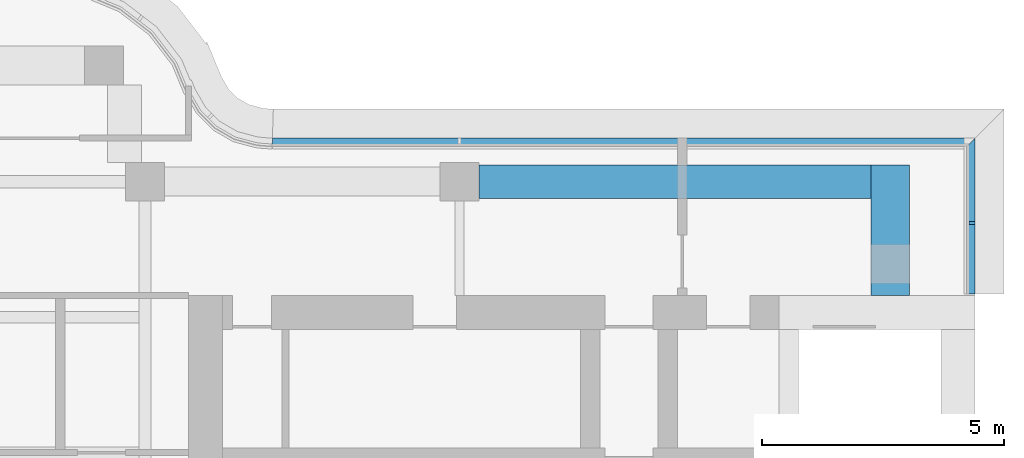
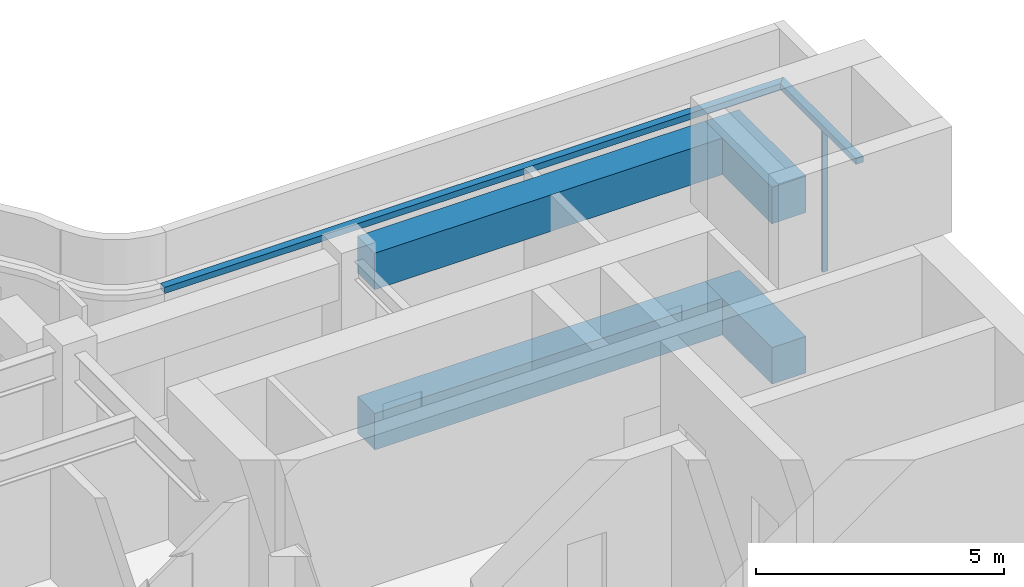
# One storey, part 4 of 9: 4 beams, 3 members, 2 elements without a shape of their own.
"""IFC4 building model written with IfcOpenShell, lengths in metres."""

from ifc_helpers import new_model, si_unit, direction, frame, origin, origin_2d, place, context, subcontext, project, spatial, polyline, rectangle, outline, extrude, source, transform, mapped, material, layer, layer_set, material_profile, profile_set, type_object, element, aggregate, save


model = new_model("IFC4")

# Units and contexts
model_context = context("Model", 3, precision=1e-05, world=origin(), true_north=direction((0.0, 1.0)))
body_context = subcontext(model_context, "Body", "Model", "MODEL_VIEW")
ifc_project = project(units=[si_unit("LENGTHUNIT", "METRE"), si_unit("AREAUNIT", "SQUARE_METRE"), si_unit("VOLUMEUNIT", "CUBIC_METRE"), si_unit("PLANEANGLEUNIT", "RADIAN"), si_unit("MASSUNIT", "GRAM", prefix="KILO")], contexts=[model_context])

# Site, building, storey
site_placement = place(None, origin())
site = spatial("IfcSite", under=ifc_project, at=site_placement, CompositionType="ELEMENT")
building_placement = place(site_placement, origin())
building = spatial("IfcBuilding", under=site, at=building_placement, Name="Trellis Farm Tower", CompositionType="ELEMENT")
storey_placement = place(building_placement, frame((0.0, 0.0, 358.10009765625)))
storey = spatial("IfcBuildingStorey", under=building, at=storey_placement, Name="L81", CompositionType="ELEMENT", Elevation=358.10009765625)

# Beams
ifc_material_1 = material(Name="Concrete C60/75", Category="concrete")
ifc_material_profile_1 = material_profile(ifc_material_1, rectangle(XDim=0.699951171875, YDim=0.89990234375, at=origin_2d()), Name="RC spandrel beam 700x900 C60/75")
ifc_profile_set_1 = profile_set([ifc_material_profile_1], Name="Concrete C60/75")
beam_type_1 = type_object("IfcBeamType", Name="RC spandrel beam 700x900 C60/75", PredefinedType="SPANDREL", material=ifc_profile_set_1)
shared_shape_1 = source(origin(), body_context, "Body", "SweptSolid", [
    extrude(rectangle(XDim=0.699951171875, YDim=0.89990234375, at=origin_2d()), origin(), (0.0, 0.0, 1.0), 8.10009765625),
])
for number, where, z_axis, x_axis, name in (
    (1, (12.5, 5.60009765625, -0.7001953125), (1.0, 0.0, 0.0), (0.0, 1.0, 0.0), "Girder"),
    (2, (12.5, 5.60009765625, 3.25), (1.0, 0.0, 0.0), (0.0, 1.0, 0.0), "Girder"),
):
    element("IfcBeam", number, at=place(storey_placement, frame(where, z_axis=z_axis, x_axis=x_axis)), inside=storey, type_object=beam_type_1, Name=name, PredefinedType="SPANDREL", context=body_context, shape_type="MappedRepresentation", body=[
        mapped(shared_shape_1, transform((0.0, 0.0, 0.0))),
    ])
ifc_material_profile_2 = material_profile(ifc_material_1, rectangle(XDim=0.800048828125, YDim=0.89990234375, at=origin_2d()), Name="RC spandrel beam 800x900 C60/75")
ifc_profile_set_2 = profile_set([ifc_material_profile_2], Name="Concrete C60/75")
beam_type_2 = type_object("IfcBeamType", Name="RC spandrel beam 800x900 C60/75", PredefinedType="SPANDREL", material=ifc_profile_set_2)
shared_shape_2 = source(origin(), body_context, "Body", "SweptSolid", [
    extrude(rectangle(XDim=0.800048828125, YDim=0.89990234375, at=origin_2d()), origin(), (0.0, 0.0, 1.0), 2.699951171875),
])
for number, where, z_axis, x_axis, name in (
    (3, (21.0, 3.25, -0.7001953125), (0.0, 1.0, 0.0), (-1.0, 0.0, 0.0), "Girder"),
    (4, (21.0, 3.25, 3.25), (0.0, 1.0, 0.0), (-1.0, 0.0, 0.0), "Girder"),
):
    element("IfcBeam", number, at=place(storey_placement, frame(where, z_axis=z_axis, x_axis=x_axis)), inside=storey, type_object=beam_type_2, Name=name, PredefinedType="SPANDREL", context=body_context, shape_type="MappedRepresentation", body=[
        mapped(shared_shape_2, transform((0.0, 0.0, 0.0))),
    ])

# Curtain wall, member
ifc_material_2 = material(Name="Aluminium and glass curtain wall", Category="aluminium")
ifc_layer_1 = layer(ifc_material_2, 0.176025390625)
ifc_layer_set_1 = layer_set([ifc_layer_1], Name="CROWN LANTERN CURTAIN WALL CW5")
curtain_wall_type = type_object("IfcCurtainWallType", Name="CROWN LANTERN CURTAIN WALL CW5", PredefinedType="NOTDEFINED", material=ifc_layer_set_1)
placement_1 = place(storey_placement, origin())
curtain_wall_1 = element("IfcCurtainWall", 5, at=placement_1, inside=storey, type_object=curtain_wall_type, Name="CW5 006", PredefinedType="NOTDEFINED")
ifc_material_3 = material(Name="Aluminium extrusion 6063-T6", Category="aluminium")
ifc_layer_2 = layer(ifc_material_3, 0.176025390625)
ifc_layer_set_2 = layer_set([ifc_layer_2], Name="Aluminium extrusion 6063-T6")
member_type_1 = type_object("IfcMemberType", Name="CW5 TRANSOM 176x150", PredefinedType="USERDEFINED", material=ifc_layer_set_2)
shared_shape_3 = source(origin(), body_context, "Body", "SweptSolid", [
    extrude(outline(polyline([(22.75, 6.5), (8.2314453125, 6.5), (8.2255859375, 6.323974609375), (22.573974609375, 6.323974609375), (22.75, 6.5)])), origin(), (0.0, 0.0, 1.0), 0.150146484375),
])
placement_2 = place(storey_placement, frame((0.0, 0.0, 3.5498046875)))
member_1 = element("IfcMember", 6, at=placement_2, type_object=member_type_1, Name="TR5 006", ObjectType="TRANSOM", PredefinedType="USERDEFINED", context=body_context, shape_type="MappedRepresentation", body=[
    mapped(shared_shape_3, transform((0.0, 0.0, 0.0))),
])
aggregate(curtain_wall_1, [member_1])

# Curtain wall, members
curtain_wall_2 = element("IfcCurtainWall", 7, at=placement_1, inside=storey, type_object=curtain_wall_type, Name="CW5 005", PredefinedType="NOTDEFINED")
shared_shape_4 = source(origin(), body_context, "Body", "SweptSolid", [
    extrude(outline(polyline([(22.75, 3.280029296875), (22.75, 6.5), (22.573974609375, 6.323974609375), (22.573974609375, 3.280029296875), (22.75, 3.280029296875)])), origin(), (0.0, 0.0, 1.0), 0.150146484375),
])
member_2 = element("IfcMember", 8, at=placement_2, type_object=member_type_1, Name="TR5 005", ObjectType="TRANSOM", PredefinedType="USERDEFINED", context=body_context, shape_type="MappedRepresentation", body=[
    mapped(shared_shape_4, transform((0.0, 0.0, 0.0))),
])
ifc_material_profile_3 = material_profile(ifc_material_3, rectangle(XDim=0.06005859375, YDim=0.1201171875, at=origin_2d()), Name="MULLION 60x120")
ifc_profile_set_3 = profile_set([ifc_material_profile_3], Name="Aluminium extrusion 6063-T6")
member_type_2 = type_object("IfcMemberType", Name="CW5 MULLION 60x120", PredefinedType="MULLION", material=ifc_profile_set_3)
shared_shape_5 = source(origin(), body_context, "Body", "SweptSolid", [
    extrude(rectangle(XDim=0.06005859375, YDim=0.1201171875, at=origin_2d()), origin(), (0.0, 0.0, 1.0), 3.5498046875),
])
member_3_placement = place(storey_placement, frame((22.68994140625, 4.75, 0.0), z_axis=(0.0, 0.0, 1.0), x_axis=(0.0, 1.0, 0.0)))
member_3 = element("IfcMember", 9, at=member_3_placement, type_object=member_type_2, Name="MU5 005-01", PredefinedType="MULLION", context=body_context, shape_type="MappedRepresentation", body=[
    mapped(shared_shape_5, transform((0.0, 0.0, 0.0))),
])
aggregate(curtain_wall_2, [member_3, member_2])

save(model, "model.ifc")
